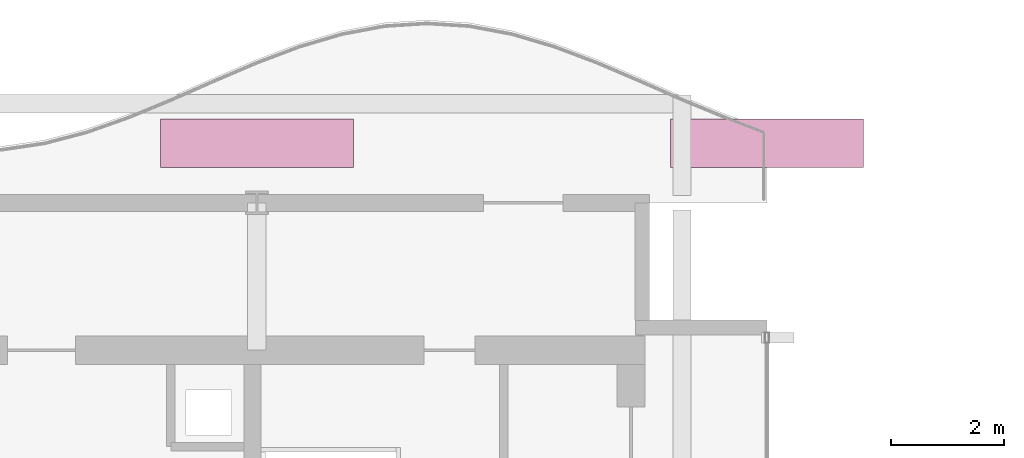
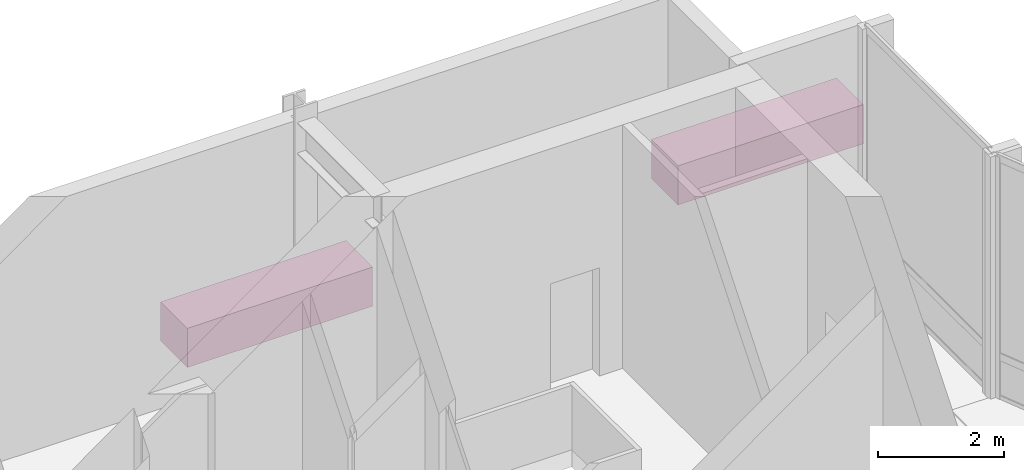
# One storey, part 29 of 29: 2 furnishings.
"""IFC4 building model written with IfcOpenShell, lengths in metres."""

import ifcopenshell
import ifcopenshell.guid

model = None  # the IFC model being written
_history = None  # IfcOwnerHistory: only IFC2X3 demands one
_inside = {}  # id of a spatial element -> (the spatial element, [elements in it])
_under = {}  # id of a project, library or spatial element -> (it, [spatial elements below it])
_declared = {}  # id of a project -> (the project, [libraries it declares])
_typed = {}  # id of a type object -> (the type object, [elements of that type])
_made_of = {}  # id of a material, layer set ... -> (it, [elements and type objects made of it])


def new_model(schema):
    """Start an empty IFC model of exactly this schema.

    Asked for "IFC4X3", IfcOpenShell would pick the latest addendum, in which some entities
    have other attributes; the version numbers below select the first issue.
    IFC2X3 requires an IfcOwnerHistory on every rooted entity: one is made here for all.
    """
    global model, _history
    if schema == "IFC4X3":
        model = ifcopenshell.file(schema_version=(4, 3, 0, 0))
    else:
        model = ifcopenshell.file(schema=schema)
    _inside.clear()
    _under.clear()
    _declared.clear()
    _typed.clear()
    _made_of.clear()
    _history = None
    if model.schema == "IFC2X3":
        org = make("IfcOrganization", Name="unknown")
        user = make(
            "IfcPersonAndOrganization",
            ThePerson=make("IfcPerson", FamilyName="unknown"),
            TheOrganization=org,
        )
        app = make(
            "IfcApplication",
            ApplicationDeveloper=org,
            Version="unknown",
            ApplicationFullName="unknown",
            ApplicationIdentifier="unknown",
        )
        _history = make(
            "IfcOwnerHistory",
            OwningUser=user,
            OwningApplication=app,
            ChangeAction="ADDED",
            CreationDate=0,
        )
    return model


def make(cls, **values):
    """One entity of the class cls with the attributes given. An attribute that is None is left unset."""
    return model.create_entity(
        cls, **{name: value for name, value in values.items() if value is not None}
    )


def rooted(cls, **values):
    """An entity with a GlobalId (a new one), such as an element, a storey or a relation."""
    return make(cls, GlobalId=ifcopenshell.guid.new(), OwnerHistory=_history, **values)


def si_unit(unit_type, name, prefix=None):
    """IfcSIUnit, for example si_unit("LENGTHUNIT", "METRE", prefix="MILLI")."""
    return make("IfcSIUnit", UnitType=unit_type, Prefix=prefix, Name=name)


def assignment(units):
    """IfcUnitAssignment: the units of a project."""
    return None if units is None else make("IfcUnitAssignment", Units=units)


def point(xyz):
    """IfcCartesianPoint."""
    return None if xyz is None else make("IfcCartesianPoint", Coordinates=xyz)


def direction(xyz):
    """IfcDirection."""
    return None if xyz is None else make("IfcDirection", DirectionRatios=xyz)


def frame(location, z_axis=None, x_axis=None):
    """IfcAxis2Placement3D, a coordinate frame: its origin and axes. An axis left out is left unset."""
    return make(
        "IfcAxis2Placement3D",
        Location=point(location),
        Axis=direction(z_axis),
        RefDirection=direction(x_axis),
    )


def frame_2d(location, x_axis=None):
    """IfcAxis2Placement2D, a coordinate frame in the plane: its origin and x axis."""
    return make(
        "IfcAxis2Placement2D", Location=point(location), RefDirection=direction(x_axis)
    )


def origin():
    """The frame at (0, 0, 0) with its axes left unset."""
    return frame((0.0, 0.0, 0.0))


def origin_2d():
    """The frame at (0, 0) in the plane with its x axis left unset."""
    return frame_2d((0.0, 0.0))


def place(relative_to, where):
    """IfcLocalPlacement: puts the frame where relative to a parent placement (None: the world)."""
    return make(
        "IfcLocalPlacement", PlacementRelTo=relative_to, RelativePlacement=where
    )


def context(
    kind, dimensions, precision=None, world=None, true_north=None, identifier=None
):
    """IfcGeometricRepresentationContext, for example the 3D "Model" context."""
    return make(
        "IfcGeometricRepresentationContext",
        ContextIdentifier=identifier,
        ContextType=kind,
        CoordinateSpaceDimension=dimensions,
        Precision=precision,
        WorldCoordinateSystem=world,
        TrueNorth=true_north,
    )


def subcontext(parent, identifier, kind, view, scale=None):
    """IfcGeometricRepresentationSubContext, for example "Body" below "Model"."""
    return make(
        "IfcGeometricRepresentationSubContext",
        ContextIdentifier=identifier,
        ContextType=kind,
        ParentContext=parent,
        TargetScale=scale,
        TargetView=view,
    )


def project(units=None, contexts=None):
    """IfcProject with its units and contexts."""
    return rooted(
        "IfcProject",
        Name="project",
        RepresentationContexts=contexts,
        UnitsInContext=assignment(units),
    )


def spatial(cls, under=None, at=None, **own):
    """A site, building, storey or space (cls), placed at a placement, below another one or the project."""
    s = rooted(cls, ObjectPlacement=at, **own)
    if under is not None:
        _under.setdefault(under.id(), (under, []))[1].append(s)
    return s


def profile(cls, at=None, kind="AREA", **sizes):
    """A parametric profile (cls). Its sizes go by their IFC names, for example OverallWidth=200.0."""
    return make(cls, ProfileType=kind, Position=at, **sizes)


def rectangle(**sizes):
    """IfcRectangleProfileDef."""
    return profile("IfcRectangleProfileDef", **sizes)


def extrude(swept, where, along, depth):
    """IfcExtrudedAreaSolid: the profile swept, set in the frame where, extruded along a direction by depth."""
    return make(
        "IfcExtrudedAreaSolid",
        SweptArea=swept,
        Position=where,
        ExtrudedDirection=direction(along),
        Depth=depth,
    )


def shape(context_of_items, identifier, shape_type, items):
    """IfcShapeRepresentation: the items that make up one representation, for example the "Body"."""
    return make(
        "IfcShapeRepresentation",
        ContextOfItems=context_of_items,
        RepresentationIdentifier=identifier,
        RepresentationType=shape_type,
        Items=items,
    )


def material(Name=None, Category=None):
    """IfcMaterial."""
    return make("IfcMaterial", Name=Name, Category=Category)


def made_of(thing, what):
    """Note that an element or type object is made of a material, layer set ...; save() writes the relation."""
    if what is not None:
        _made_of.setdefault(what.id(), (what, []))[1].append(thing)
    return thing


def type_object(cls, material=None, **own):
    """A type object (cls), such as IfcWallType, which elements share."""
    return made_of(rooted(cls, **own), material)


def element(
    cls,
    number,
    at=None,
    inside=None,
    cuts=None,
    type_object=None,
    material=None,
    context=None,
    identifier="Body",
    shape_type=None,
    held_by="IfcProductDefinitionShape",
    body=None,
    shapes=None,
    **own,
):
    """One element of the class cls, such as IfcWall. Its Tag is "e" and its number.

    at: its placement. inside: the storey or other place that contains it. cuts: it is an
    opening in that element (IfcRelVoidsElement). A single representation is given by context,
    identifier, shape_type and body (its items); several are given by shapes. held_by: the class
    of the entity that holds the representations. save() writes the other relations.
    """
    e = rooted(cls, Tag="e%d" % number, ObjectPlacement=at, **own)
    if body is not None:
        shapes = [shape(context, identifier, shape_type, body)]
    if shapes is not None:
        e.Representation = make(held_by, Representations=shapes)
    if inside is not None:
        _inside.setdefault(inside.id(), (inside, []))[1].append(e)
    if cuts is not None:
        rooted(
            "IfcRelVoidsElement", RelatingBuildingElement=cuts, RelatedOpeningElement=e
        )
    if type_object is not None:
        _typed.setdefault(type_object.id(), (type_object, []))[1].append(e)
    return made_of(e, material)


def aggregate(whole, parts):
    """IfcRelAggregates: a whole, such as a stair, and the parts it consists of."""
    return rooted("IfcRelAggregates", RelatingObject=whole, RelatedObjects=parts)


def save(model, path):
    """Write the relations noted so far, then the file.

    IfcRelAggregates (storeys below a building ...), IfcRelContainedInSpatialStructure (elements
    in a storey), IfcRelDefinesByType, IfcRelAssociatesMaterial and IfcRelDeclares: one each for
    every whole, place, type object, material and project.
    """
    for whole, parts in _under.values():
        aggregate(whole, parts)
    for where, things in _inside.values():
        rooted(
            "IfcRelContainedInSpatialStructure",
            RelatedElements=things,
            RelatingStructure=where,
        )
    for kind, things in _typed.values():
        rooted("IfcRelDefinesByType", RelatedObjects=things, RelatingType=kind)
    for what, things in _made_of.values():
        rooted("IfcRelAssociatesMaterial", RelatedObjects=things, RelatingMaterial=what)
    for by, libraries in _declared.values():
        rooted("IfcRelDeclares", RelatingContext=by, RelatedDefinitions=libraries)
    model.write(path)


model = new_model("IFC4")

# Units and contexts
model_context = context("Model", 3, precision=1e-05, world=origin(), true_north=direction((0.0, 1.0)))
body_context = subcontext(model_context, "Body", "Model", "MODEL_VIEW")
ifc_project = project(units=[si_unit("LENGTHUNIT", "METRE"), si_unit("AREAUNIT", "SQUARE_METRE"), si_unit("VOLUMEUNIT", "CUBIC_METRE"), si_unit("PLANEANGLEUNIT", "RADIAN"), si_unit("MASSUNIT", "GRAM", prefix="KILO")], contexts=[model_context])

# Site, building, storey
site_placement = place(None, origin())
site = spatial("IfcSite", under=ifc_project, at=site_placement, CompositionType="ELEMENT")
building_placement = place(site_placement, origin())
building = spatial("IfcBuilding", under=site, at=building_placement, Name="Solvaryn Broadcast Tower", CompositionType="ELEMENT")
storey_placement = place(building_placement, frame((0.0, 0.0, 169.199951171875)))
storey = spatial("IfcBuildingStorey", under=building, at=storey_placement, Name="L42", CompositionType="ELEMENT", Elevation=169.199951171875)

# Furnishings
ifc_material = material(Name="Architectural Terracotta Planter Bed", Category="masonry")
furnishing_element_type = type_object("IfcFurnishingElementType", Name="PLB-01 Garden Planter Bed", material=ifc_material)
for number, where, z_axis, x_axis, name in (
    (1, (18.0, 46.050048828125, 0.0), (0.0, 0.0, 1.0), (1.0, 0.0, 0.0), "L42 Planted Terrace Planter PLANTER-TS-SG-L42-1"),
    (2, (27.0, 46.050048828125, 0.0), (0.0, 0.0, 1.0), (1.0, 0.0, 0.0), "L42 Planted Terrace Planter PLANTER-TS-SG-L42-2"),
):
    element("IfcFurnishingElement", number, at=place(storey_placement, frame(where, z_axis=z_axis, x_axis=x_axis)), inside=storey, type_object=furnishing_element_type, Name=name, ObjectType="PLANTER", context=body_context, shape_type="SweptSolid", body=[
        extrude(rectangle(XDim=3.39990234375, YDim=0.85009765625, at=origin_2d()), origin(), (0.0, 0.0, 1.0), 0.760009765625),
    ])

save(model, "model.ifc")
